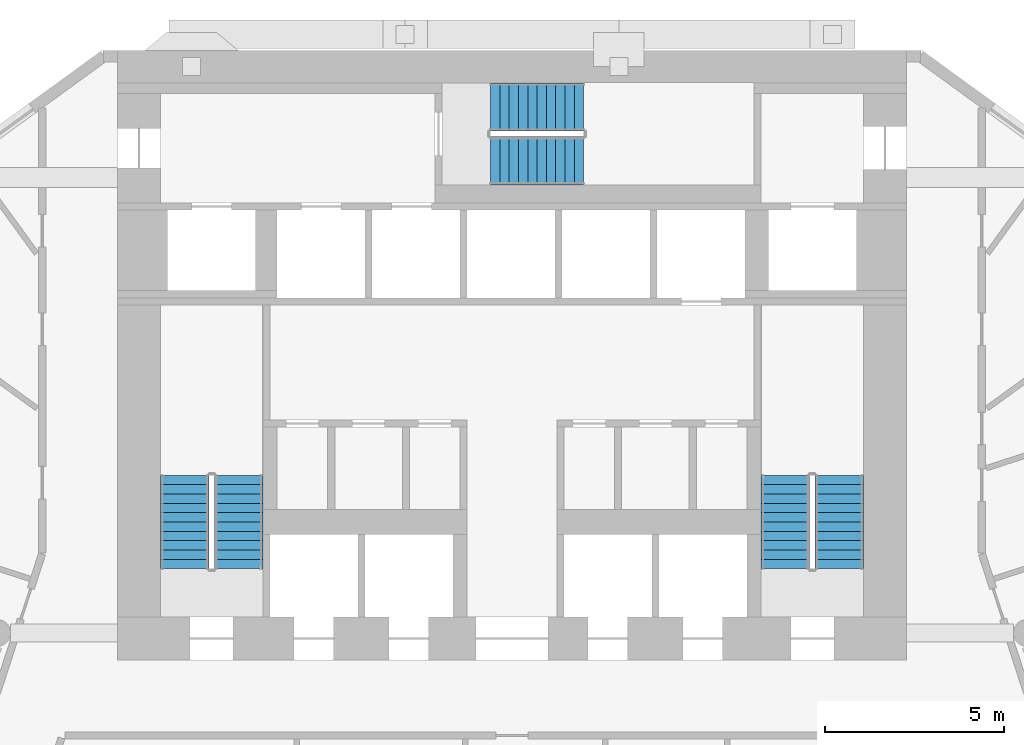
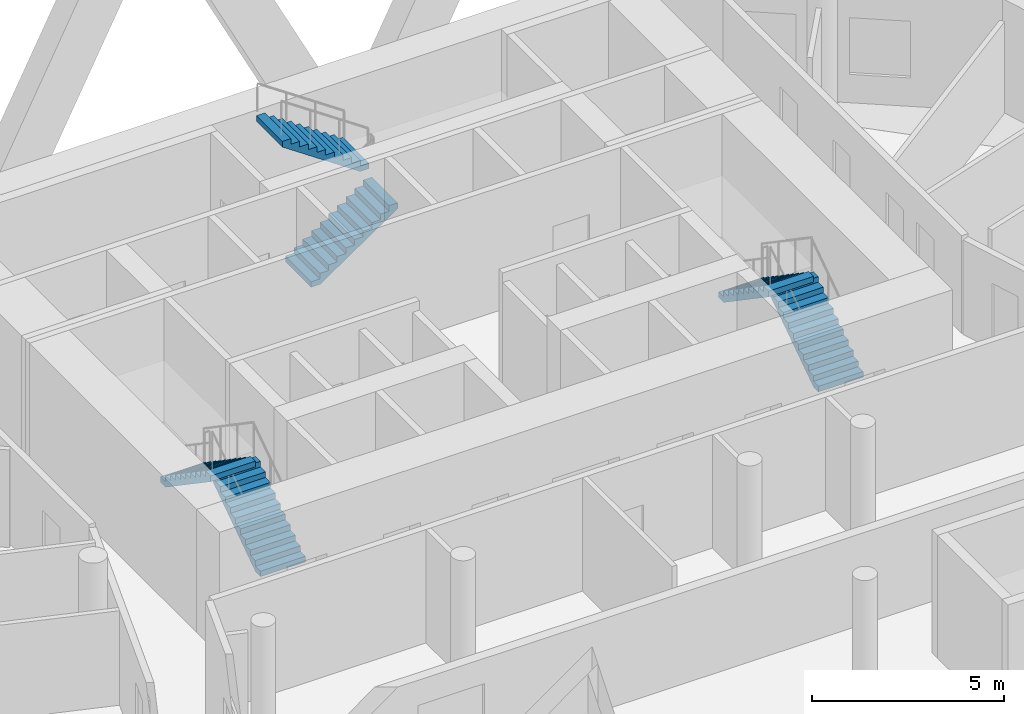
# One storey, part 8 of 10: 6 stair flights, 3 elements without a shape of their own.
"""IFC4 building model written with IfcOpenShell, lengths in metres."""

from ifc_helpers import new_model, si_unit, direction, frame, origin, place, context, subcontext, project, spatial, polyline, outline, extrude, material, layer, layer_set, type_object, element, aggregate, save


model = new_model("IFC4")

# Units and contexts
model_context = context("Model", 3, precision=1e-05, world=origin(), true_north=direction((0.0, 1.0)))
body_context = subcontext(model_context, "Body", "Model", "MODEL_VIEW")
ifc_project = project(units=[si_unit("LENGTHUNIT", "METRE"), si_unit("AREAUNIT", "SQUARE_METRE"), si_unit("VOLUMEUNIT", "CUBIC_METRE"), si_unit("PLANEANGLEUNIT", "RADIAN"), si_unit("MASSUNIT", "GRAM", prefix="KILO")], contexts=[model_context])

# Site, building, storey
site_placement = place(None, origin())
site = spatial("IfcSite", under=ifc_project, at=site_placement, CompositionType="ELEMENT")
building_placement = place(site_placement, origin())
building = spatial("IfcBuilding", under=site, at=building_placement, Name="White Candle Pilgrim Tower", CompositionType="ELEMENT")
storey_placement = place(building_placement, frame((0.0, 0.0, 54.60009765625)))
storey = spatial("IfcBuildingStorey", under=building, at=storey_placement, Name="L10", CompositionType="ELEMENT", Elevation=54.60009765625)

# Stair, stair flights
ifc_material = material(Name="Concrete C40/50", Category="concrete")
stair_type_1 = type_object("IfcStairType", Name="Exit stair 1 flight width 1350 mm", PredefinedType="HALF_TURN_STAIR", material=ifc_material)
stair_1_placement = place(storey_placement, origin())
stair_1 = element("IfcStair", 1, at=stair_1_placement, inside=storey, type_object=stair_type_1, Name="L10 stair 1", PredefinedType="NOTDEFINED")
ifc_layer = layer(ifc_material, 0.14990234375)
ifc_layer_set = layer_set([ifc_layer], Name="Stair flight Concrete C40/50")
stair_flight_type = type_object("IfcStairFlightType", Name="Stair flight Concrete C40/50", PredefinedType="STRAIGHT", material=ifc_layer_set)
stair_flight_1_placement = place(storey_placement, frame((62.375, 73.550048828125, 0.0), z_axis=(0.0, 0.0, 1.0), x_axis=(0.0, 1.0, 0.0)))
stair_flight_1 = element("IfcStairFlight", 2, at=stair_flight_1_placement, type_object=stair_flight_type, Name="ST1 flight 1", NumberOfRisers=11, NumberOfTreads=10, PredefinedType="NOTDEFINED", RiserHeight=0.177272727, TreadLength=0.26, context=body_context, shape_type="SweptSolid", body=[
    extrude(outline(polyline([(0.0, 0.0), (0.0, 0.17724609375), (0.260009765625, 0.17724609375), (0.260009765625, 0.3544921875), (0.52001953125, 0.3544921875), (0.52001953125, 0.53173828125), (0.780029296875, 0.53173828125), (0.780029296875, 0.708984375), (1.0400390625, 0.708984375), (1.0400390625, 0.886474609375), (1.300048828125, 0.886474609375), (1.300048828125, 1.063720703125), (1.56005859375, 1.063720703125), (1.56005859375, 1.240966796875), (1.820068359375, 1.240966796875), (1.820068359375, 1.418212890625), (2.080078125, 1.418212890625), (2.080078125, 1.595458984375), (2.340087890625, 1.595458984375), (2.340087890625, 1.772705078125), (2.60009765625, 1.772705078125), (2.60009765625, 1.949951171875), (2.60009765625, 1.59130859375), (0.26611328125, 0.0), (0.0, 0.0)])), frame((0.0, 0.675048828125, 0.0), z_axis=(0.0, -1.0, 0.0), x_axis=(1.0, 0.0, 0.0)), (0.0, 0.0, 1.0), 1.35009765625),
])
stair_flight_2_placement = place(storey_placement, frame((60.875, 76.14990234375, 1.949951171875), z_axis=(0.0, 0.0, 1.0), x_axis=(0.0, -1.0, 0.0)))
stair_flight_2 = element("IfcStairFlight", 3, at=stair_flight_2_placement, type_object=stair_flight_type, Name="ST1 flight 2", NumberOfRisers=11, NumberOfTreads=10, PredefinedType="NOTDEFINED", RiserHeight=0.177272727, TreadLength=0.26, context=body_context, shape_type="SweptSolid", body=[
    extrude(outline(polyline([(0.0, 0.0), (0.0, 0.17724609375), (0.260009765625, 0.17724609375), (0.260009765625, 0.3544921875), (0.52001953125, 0.3544921875), (0.52001953125, 0.53173828125), (0.780029296875, 0.53173828125), (0.780029296875, 0.708984375), (1.0400390625, 0.708984375), (1.0400390625, 0.886474609375), (1.300048828125, 0.886474609375), (1.300048828125, 1.063720703125), (1.56005859375, 1.063720703125), (1.56005859375, 1.240966796875), (1.820068359375, 1.240966796875), (1.820068359375, 1.418212890625), (2.080078125, 1.418212890625), (2.080078125, 1.595458984375), (2.340087890625, 1.595458984375), (2.340087890625, 1.772705078125), (2.60009765625, 1.772705078125), (2.60009765625, 1.949951171875), (2.60009765625, 1.59130859375), (0.26611328125, 0.0), (0.0, 0.0)])), frame((0.0, 0.675048828125, 0.0), z_axis=(0.0, -1.0, 0.0), x_axis=(1.0, 0.0, 0.0)), (0.0, 0.0, 1.0), 1.35009765625),
])
aggregate(stair_1, [stair_flight_1, stair_flight_2])

stair_type_2 = type_object("IfcStairType", Name="Exit stair 2 flight width 1350 mm", PredefinedType="HALF_TURN_STAIR", material=ifc_material)
stair_2_placement = place(storey_placement, origin())
stair_2 = element("IfcStair", 4, at=stair_2_placement, inside=storey, type_object=stair_type_2, Name="L10 stair 2", PredefinedType="NOTDEFINED")
stair_flight_3_placement = place(storey_placement, frame((79.125, 73.550048828125, 0.0), z_axis=(0.0, 0.0, 1.0), x_axis=(0.0, 1.0, 0.0)))
stair_flight_3 = element("IfcStairFlight", 5, at=stair_flight_3_placement, type_object=stair_flight_type, Name="ST2 flight 1", NumberOfRisers=11, NumberOfTreads=10, PredefinedType="NOTDEFINED", RiserHeight=0.177272727, TreadLength=0.26, context=body_context, shape_type="SweptSolid", body=[
    extrude(outline(polyline([(0.0, 0.0), (0.0, 0.17724609375), (0.260009765625, 0.17724609375), (0.260009765625, 0.3544921875), (0.52001953125, 0.3544921875), (0.52001953125, 0.53173828125), (0.780029296875, 0.53173828125), (0.780029296875, 0.708984375), (1.0400390625, 0.708984375), (1.0400390625, 0.886474609375), (1.300048828125, 0.886474609375), (1.300048828125, 1.063720703125), (1.56005859375, 1.063720703125), (1.56005859375, 1.240966796875), (1.820068359375, 1.240966796875), (1.820068359375, 1.418212890625), (2.080078125, 1.418212890625), (2.080078125, 1.595458984375), (2.340087890625, 1.595458984375), (2.340087890625, 1.772705078125), (2.60009765625, 1.772705078125), (2.60009765625, 1.949951171875), (2.60009765625, 1.59130859375), (0.26611328125, 0.0), (0.0, 0.0)])), frame((0.0, 0.675048828125, 0.0), z_axis=(0.0, -1.0, 0.0), x_axis=(1.0, 0.0, 0.0)), (0.0, 0.0, 1.0), 1.35009765625),
])
stair_flight_4_placement = place(storey_placement, frame((77.625, 76.14990234375, 1.949951171875), z_axis=(0.0, 0.0, 1.0), x_axis=(0.0, -1.0, 0.0)))
stair_flight_4 = element("IfcStairFlight", 6, at=stair_flight_4_placement, type_object=stair_flight_type, Name="ST2 flight 2", NumberOfRisers=11, NumberOfTreads=10, PredefinedType="NOTDEFINED", RiserHeight=0.177272727, TreadLength=0.26, context=body_context, shape_type="SweptSolid", body=[
    extrude(outline(polyline([(0.0, 0.0), (0.0, 0.17724609375), (0.260009765625, 0.17724609375), (0.260009765625, 0.3544921875), (0.52001953125, 0.3544921875), (0.52001953125, 0.53173828125), (0.780029296875, 0.53173828125), (0.780029296875, 0.708984375), (1.0400390625, 0.708984375), (1.0400390625, 0.886474609375), (1.300048828125, 0.886474609375), (1.300048828125, 1.063720703125), (1.56005859375, 1.063720703125), (1.56005859375, 1.240966796875), (1.820068359375, 1.240966796875), (1.820068359375, 1.418212890625), (2.080078125, 1.418212890625), (2.080078125, 1.595458984375), (2.340087890625, 1.595458984375), (2.340087890625, 1.772705078125), (2.60009765625, 1.772705078125), (2.60009765625, 1.949951171875), (2.60009765625, 1.59130859375), (0.26611328125, 0.0), (0.0, 0.0)])), frame((0.0, 0.675048828125, 0.0), z_axis=(0.0, -1.0, 0.0), x_axis=(1.0, 0.0, 0.0)), (0.0, 0.0, 1.0), 1.35009765625),
])
aggregate(stair_2, [stair_flight_3, stair_flight_4])

stair_type_3 = type_object("IfcStairType", Name="Exit stair 3 flight width 1350 mm", PredefinedType="HALF_TURN_STAIR", material=ifc_material)
stair_3_placement = place(storey_placement, origin())
stair_3 = element("IfcStair", 7, at=stair_3_placement, inside=storey, type_object=stair_type_3, Name="L10 stair 3", PredefinedType="NOTDEFINED")
stair_flight_5_placement = place(storey_placement, frame((69.39990234375, 84.925048828125, 0.0), z_axis=(0.0, 0.0, 1.0), x_axis=(1.0, 0.0, 0.0)))
stair_flight_5 = element("IfcStairFlight", 8, at=stair_flight_5_placement, type_object=stair_flight_type, Name="ST3 flight 1", NumberOfRisers=11, NumberOfTreads=10, PredefinedType="NOTDEFINED", RiserHeight=0.177272727, TreadLength=0.26, context=body_context, shape_type="SweptSolid", body=[
    extrude(outline(polyline([(0.0, 0.0), (0.0, 0.17724609375), (0.260009765625, 0.17724609375), (0.260009765625, 0.3544921875), (0.52001953125, 0.3544921875), (0.52001953125, 0.53173828125), (0.780029296875, 0.53173828125), (0.780029296875, 0.708984375), (1.0400390625, 0.708984375), (1.0400390625, 0.886474609375), (1.300048828125, 0.886474609375), (1.300048828125, 1.063720703125), (1.56005859375, 1.063720703125), (1.56005859375, 1.240966796875), (1.820068359375, 1.240966796875), (1.820068359375, 1.418212890625), (2.080078125, 1.418212890625), (2.080078125, 1.595458984375), (2.340087890625, 1.595458984375), (2.340087890625, 1.772705078125), (2.60009765625, 1.772705078125), (2.60009765625, 1.949951171875), (2.60009765625, 1.59130859375), (0.26611328125, 0.0), (0.0, 0.0)])), frame((0.0, 0.675048828125, 0.0), z_axis=(0.0, -1.0, 0.0), x_axis=(1.0, 0.0, 0.0)), (0.0, 0.0, 1.0), 1.35009765625),
])
stair_flight_6_placement = place(storey_placement, frame((72.0, 86.425048828125, 1.949951171875), z_axis=(0.0, 0.0, 1.0), x_axis=(-1.0, 0.0, 0.0)))
stair_flight_6 = element("IfcStairFlight", 9, at=stair_flight_6_placement, type_object=stair_flight_type, Name="ST3 flight 2", NumberOfRisers=11, NumberOfTreads=10, PredefinedType="NOTDEFINED", RiserHeight=0.177272727, TreadLength=0.26, context=body_context, shape_type="SweptSolid", body=[
    extrude(outline(polyline([(0.0, 0.0), (0.0, 0.17724609375), (0.260009765625, 0.17724609375), (0.260009765625, 0.3544921875), (0.52001953125, 0.3544921875), (0.52001953125, 0.53173828125), (0.780029296875, 0.53173828125), (0.780029296875, 0.708984375), (1.0400390625, 0.708984375), (1.0400390625, 0.886474609375), (1.300048828125, 0.886474609375), (1.300048828125, 1.063720703125), (1.56005859375, 1.063720703125), (1.56005859375, 1.240966796875), (1.820068359375, 1.240966796875), (1.820068359375, 1.418212890625), (2.080078125, 1.418212890625), (2.080078125, 1.595458984375), (2.340087890625, 1.595458984375), (2.340087890625, 1.772705078125), (2.60009765625, 1.772705078125), (2.60009765625, 1.949951171875), (2.60009765625, 1.59130859375), (0.26611328125, 0.0), (0.0, 0.0)])), frame((0.0, 0.675048828125, 0.0), z_axis=(0.0, -1.0, 0.0), x_axis=(1.0, 0.0, 0.0)), (0.0, 0.0, 1.0), 1.35009765625),
])
aggregate(stair_3, [stair_flight_5, stair_flight_6])

save(model, "model.ifc")
